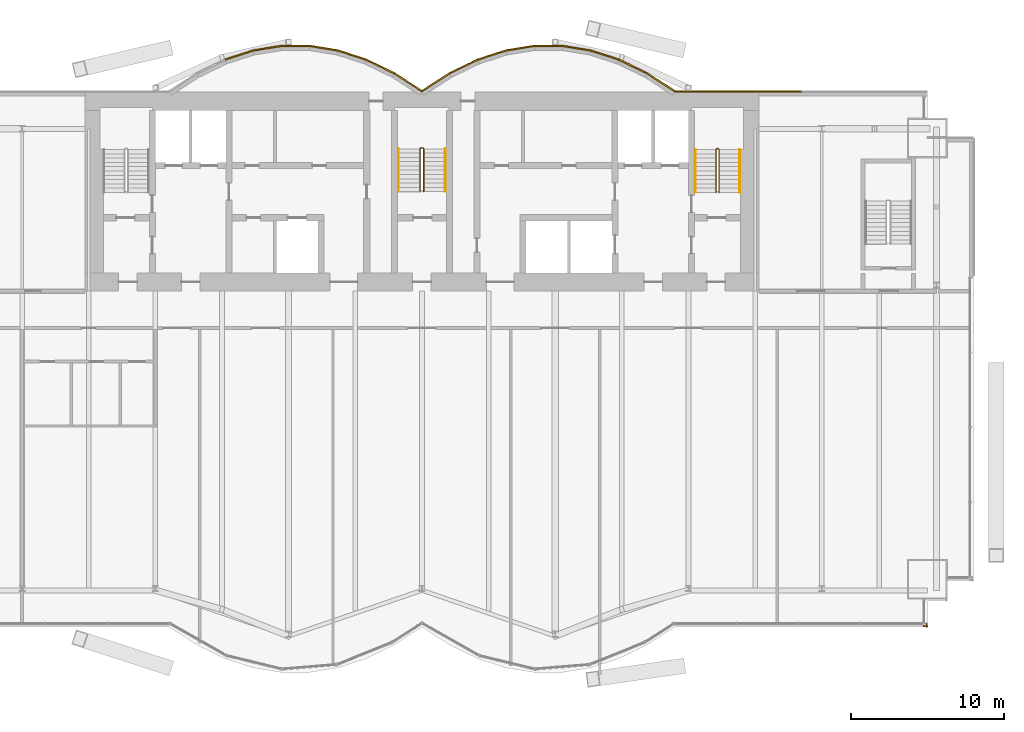
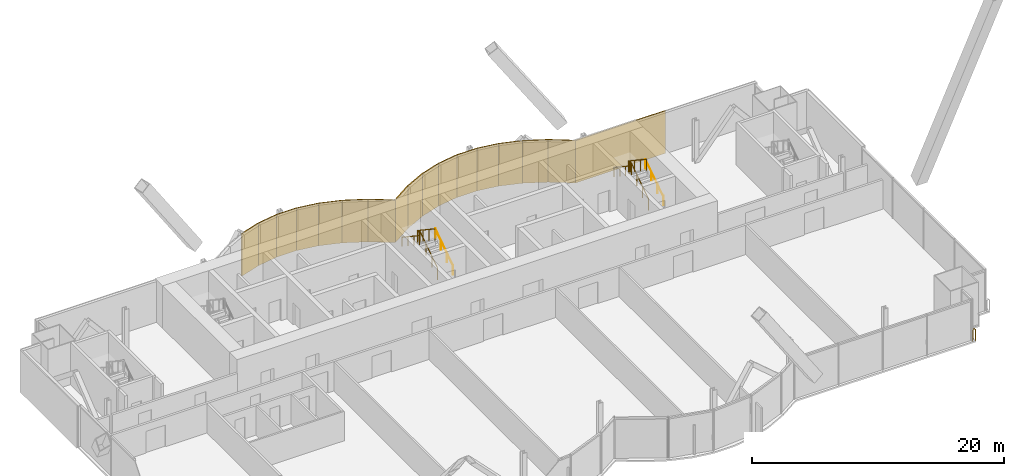
# One storey, part 23 of 24: 17 coverings, 7 railings.
"""IFC4 building model written with IfcOpenShell, lengths in metres."""

from ifc_helpers import new_model, si_unit, direction, frame, origin, origin_2d, place, context, subcontext, project, spatial, rectangle, circle, extrude, material, layer, layer_set, type_object, element, save


model = new_model("IFC4")

# Units and contexts
model_context = context("Model", 3, precision=1e-05, world=origin(), true_north=direction((0.0, 1.0)))
body_context = subcontext(model_context, "Body", "Model", "MODEL_VIEW")
ifc_project = project(units=[si_unit("LENGTHUNIT", "METRE"), si_unit("AREAUNIT", "SQUARE_METRE"), si_unit("VOLUMEUNIT", "CUBIC_METRE"), si_unit("PLANEANGLEUNIT", "RADIAN"), si_unit("MASSUNIT", "GRAM", prefix="KILO")], contexts=[model_context])

# Site, building, storey
site_placement = place(None, origin())
site = spatial("IfcSite", under=ifc_project, at=site_placement, CompositionType="ELEMENT")
building_placement = place(site_placement, origin())
building = spatial("IfcBuilding", under=site, at=building_placement, Name="Bicima Exchange Tower", CompositionType="ELEMENT")
storey_placement = place(building_placement, frame((0.0, 0.0, 160.89990234375)))
storey = spatial("IfcBuildingStorey", under=building, at=storey_placement, Name="L35", CompositionType="ELEMENT", Elevation=160.89990234375)

# Coverings
ifc_material_1 = material(Name="Bronze metal cladding")
ifc_layer_1 = layer(ifc_material_1, 0.004)
ifc_material_2 = material(Name="Ventilated cavity")
ifc_layer_2 = layer(ifc_material_2, 0.06)
ifc_material_3 = material(Name="Galvanised steel rail and mineral wool", Category="steel")
ifc_layer_3 = layer(ifc_material_3, 0.036)
ifc_layer_set = layer_set([ifc_layer_1, ifc_layer_2, ifc_layer_3], Name="Ventilated cavity")
covering_type = type_object("IfcCoveringType", Name="Bronze metal cladding panel 100", PredefinedType="CLADDING", material=ifc_layer_set)
covering_1_placement = place(storey_placement, frame((20.625, 0.050048828125, -0.14990234375), z_axis=(0.0, 0.0, 1.0), x_axis=(-1.0, 0.0, 0.0)))
element("IfcCovering", 1, at=covering_1_placement, inside=storey, type_object=covering_type, Name="Bronze cladding L35 1.2", PredefinedType="CLADDING", context=body_context, shape_type="SweptSolid", body=[
    extrude(rectangle(XDim=8.25, YDim=0.10009765625, at=origin_2d()), origin(), (0.0, 0.0, 1.0), 4.10009765625),
])
covering_2_placement = place(storey_placement, frame((15.610595703125, 0.634521484375, -0.14990234375), z_axis=(0.0, 0.0, 1.0), x_axis=(-0.839790466384, 0.542910648791, 0.0)))
element("IfcCovering", 2, at=covering_2_placement, inside=storey, type_object=covering_type, Name="Bronze cladding L35 2.1", PredefinedType="CLADDING", context=body_context, shape_type="SweptSolid", body=[
    extrude(rectangle(XDim=2.18310546875, YDim=0.10009765625, at=origin_2d()), origin(), (0.0, 0.0, 1.0), 4.10009765625),
])
covering_3_placement = place(storey_placement, frame((13.771728515625, 1.674560546875, -0.14990234375), z_axis=(0.0, 0.0, 1.0), x_axis=(-0.899818346812, 0.436264762204, 0.0)))
element("IfcCovering", 3, at=covering_3_placement, inside=storey, type_object=covering_type, Name="Bronze cladding L35 3.1", PredefinedType="CLADDING", context=body_context, shape_type="SweptSolid", body=[
    extrude(rectangle(XDim=2.03759765625, YDim=0.10009765625, at=origin_2d()), origin(), (0.0, 0.0, 1.0), 4.10009765625),
])
covering_4_placement = place(storey_placement, frame((11.931884765625, 2.41796875, -0.14990234375), z_axis=(0.0, 0.0, 1.0), x_axis=(-0.951524642381, 0.307572519808, 0.0)))
element("IfcCovering", 4, at=covering_4_placement, inside=storey, type_object=covering_type, Name="Bronze cladding L35 4.1", PredefinedType="CLADDING", context=body_context, shape_type="SweptSolid", body=[
    extrude(rectangle(XDim=1.9267578125, YDim=0.10009765625, at=origin_2d()), origin(), (0.0, 0.0, 1.0), 4.10009765625),
])
covering_5_placement = place(storey_placement, frame((10.09130859375, 2.8642578125, -0.14990234375), z_axis=(0.0, 0.0, 1.0), x_axis=(-0.987189786347, 0.159550386184, 0.0)))
element("IfcCovering", 5, at=covering_5_placement, inside=storey, type_object=covering_type, Name="Bronze cladding L35 5.1", PredefinedType="CLADDING", context=body_context, shape_type="SweptSolid", body=[
    extrude(rectangle(XDim=1.857177734375, YDim=0.10009765625, at=origin_2d()), origin(), (0.0, 0.0, 1.0), 4.10009765625),
])
covering_6_placement = place(storey_placement, frame((8.25, 3.012939453125, -0.14990234375), z_axis=(0.0, 0.0, 1.0), x_axis=(-1.0, 0.0, 0.0)))
element("IfcCovering", 6, at=covering_6_placement, inside=storey, type_object=covering_type, Name="Bronze cladding L35 6.1", PredefinedType="CLADDING", context=body_context, shape_type="SweptSolid", body=[
    extrude(rectangle(XDim=1.83349609375, YDim=0.10009765625, at=origin_2d()), origin(), (0.0, 0.0, 1.0), 4.10009765625),
])
covering_7_placement = place(storey_placement, frame((6.40869140625, 2.8642578125, -0.14990234375), z_axis=(0.0, 0.0, 1.0), x_axis=(-0.987189786347, -0.159550386184, 0.0)))
element("IfcCovering", 7, at=covering_7_placement, inside=storey, type_object=covering_type, Name="Bronze cladding L35 7.1", PredefinedType="CLADDING", context=body_context, shape_type="SweptSolid", body=[
    extrude(rectangle(XDim=1.857177734375, YDim=0.10009765625, at=origin_2d()), origin(), (0.0, 0.0, 1.0), 4.10009765625),
])
covering_8_placement = place(storey_placement, frame((4.568115234375, 2.41796875, -0.14990234375), z_axis=(0.0, 0.0, 1.0), x_axis=(-0.951524642381, -0.307572519808, 0.0)))
element("IfcCovering", 8, at=covering_8_placement, inside=storey, type_object=covering_type, Name="Bronze cladding L35 8.1", PredefinedType="CLADDING", context=body_context, shape_type="SweptSolid", body=[
    extrude(rectangle(XDim=1.9267578125, YDim=0.10009765625, at=origin_2d()), origin(), (0.0, 0.0, 1.0), 4.10009765625),
])
covering_9_placement = place(storey_placement, frame((2.728271484375, 1.674560546875, -0.14990234375), z_axis=(0.0, 0.0, 1.0), x_axis=(-0.899818346812, -0.436264762204, 0.0)))
element("IfcCovering", 9, at=covering_9_placement, inside=storey, type_object=covering_type, Name="Bronze cladding L35 9.1", PredefinedType="CLADDING", context=body_context, shape_type="SweptSolid", body=[
    extrude(rectangle(XDim=2.03759765625, YDim=0.10009765625, at=origin_2d()), origin(), (0.0, 0.0, 1.0), 4.10009765625),
])
for number, where, z_axis, x_axis, name in (
    (10, (0.889404296875, 0.634521484375, -0.14990234375), (0.0, 0.0, 1.0), (-0.839790466384, -0.542910648791, 0.0), "Bronze cladding L35 10.1"),
    (11, (-0.889404296875, 0.634521484375, -0.14990234375), (0.0, 0.0, 1.0), (-0.839790466384, 0.542910648791, 0.0), "Bronze cladding L35 11.1"),
):
    element("IfcCovering", number, at=place(storey_placement, frame(where, z_axis=z_axis, x_axis=x_axis)), inside=storey, type_object=covering_type, Name=name, PredefinedType="CLADDING", context=body_context, shape_type="SweptSolid", body=[
        extrude(rectangle(XDim=2.18310546875, YDim=0.10009765625, at=origin_2d()), origin(), (0.0, 0.0, 1.0), 4.10009765625),
    ])
covering_10_placement = place(storey_placement, frame((-2.728271484375, 1.674560546875, -0.14990234375), z_axis=(0.0, 0.0, 1.0), x_axis=(-0.899818346812, 0.436264762204, 0.0)))
element("IfcCovering", 12, at=covering_10_placement, inside=storey, type_object=covering_type, Name="Bronze cladding L35 12.1", PredefinedType="CLADDING", context=body_context, shape_type="SweptSolid", body=[
    extrude(rectangle(XDim=2.03759765625, YDim=0.10009765625, at=origin_2d()), origin(), (0.0, 0.0, 1.0), 4.10009765625),
])
covering_11_placement = place(storey_placement, frame((-4.568115234375, 2.41796875, -0.14990234375), z_axis=(0.0, 0.0, 1.0), x_axis=(-0.951524642381, 0.307572519808, 0.0)))
element("IfcCovering", 13, at=covering_11_placement, inside=storey, type_object=covering_type, Name="Bronze cladding L35 13.1", PredefinedType="CLADDING", context=body_context, shape_type="SweptSolid", body=[
    extrude(rectangle(XDim=1.9267578125, YDim=0.10009765625, at=origin_2d()), origin(), (0.0, 0.0, 1.0), 4.10009765625),
])
covering_12_placement = place(storey_placement, frame((-6.40869140625, 2.8642578125, -0.14990234375), z_axis=(0.0, 0.0, 1.0), x_axis=(-0.987189786347, 0.159550386184, 0.0)))
element("IfcCovering", 14, at=covering_12_placement, inside=storey, type_object=covering_type, Name="Bronze cladding L35 14.1", PredefinedType="CLADDING", context=body_context, shape_type="SweptSolid", body=[
    extrude(rectangle(XDim=1.857177734375, YDim=0.10009765625, at=origin_2d()), origin(), (0.0, 0.0, 1.0), 4.10009765625),
])
covering_13_placement = place(storey_placement, frame((-8.25, 3.012939453125, -0.14990234375), z_axis=(0.0, 0.0, 1.0), x_axis=(-1.0, 0.0, 0.0)))
element("IfcCovering", 15, at=covering_13_placement, inside=storey, type_object=covering_type, Name="Bronze cladding L35 15.1", PredefinedType="CLADDING", context=body_context, shape_type="SweptSolid", body=[
    extrude(rectangle(XDim=1.83349609375, YDim=0.10009765625, at=origin_2d()), origin(), (0.0, 0.0, 1.0), 4.10009765625),
])
covering_14_placement = place(storey_placement, frame((-10.09130859375, 2.8642578125, -0.14990234375), z_axis=(0.0, 0.0, 1.0), x_axis=(-0.987189786347, -0.159550386184, 0.0)))
element("IfcCovering", 16, at=covering_14_placement, inside=storey, type_object=covering_type, Name="Bronze cladding L35 16.1", PredefinedType="CLADDING", context=body_context, shape_type="SweptSolid", body=[
    extrude(rectangle(XDim=1.857177734375, YDim=0.10009765625, at=origin_2d()), origin(), (0.0, 0.0, 1.0), 4.10009765625),
])
covering_15_placement = place(storey_placement, frame((-11.931884765625, 2.41796875, -0.14990234375), z_axis=(0.0, 0.0, 1.0), x_axis=(-0.951524642381, -0.307572519808, 0.0)))
element("IfcCovering", 17, at=covering_15_placement, inside=storey, type_object=covering_type, Name="Bronze cladding L35 17.1", PredefinedType="CLADDING", context=body_context, shape_type="SweptSolid", body=[
    extrude(rectangle(XDim=1.9267578125, YDim=0.10009765625, at=origin_2d()), origin(), (0.0, 0.0, 1.0), 4.10009765625),
])

# Railings
ifc_material_4 = material(Name="Stainless steel and bonded safety glass", Category="steel")
railing_type_1 = type_object("IfcRailingType", Name="Edge guard 1100", PredefinedType="GUARDRAIL", material=ifc_material_4)
railing_1_placement = place(storey_placement, frame((32.949951171875, -34.680908203125, 0.0)))
element("IfcRailing", 18, at=railing_1_placement, inside=storey, type_object=railing_type_1, Name="Edge guard L35 176", PredefinedType="GUARDRAIL", context=body_context, shape_type="SweptSolid", body=[
    extrude(circle(Radius=0.02392578125, at=origin_2d()), frame((0.0, 0.0, 1.076171875), z_axis=(0.0, -1.0, 0.0), x_axis=(1.0, 0.0, 0.0)), (0.0, 0.0, 1.0), 0.2431640625),
    extrude(circle(Radius=0.02392578125, at=origin_2d()), frame((0.0, -0.2431640625, 1.076171875), z_axis=(0.707106781187, 0.707106781187, 0.0), x_axis=(-0.707106781187, 0.707106781187, 0.0)), (0.0, 0.0, 1.0), 0.07080078125),
    extrude(circle(Radius=0.02392578125, at=origin_2d()), frame((0.050048828125, -0.193115234375, 1.076171875), z_axis=(-1.0, 0.0, 0.0), x_axis=(0.0, -1.0, 0.0)), (0.0, 0.0, 1.0), 0.25),
    extrude(circle(Radius=0.02099609375, at=origin_2d()), origin(), (0.0, 0.0, 1.0), 1.052001953125),
    extrude(circle(Radius=0.02099609375, at=origin_2d()), frame((0.0, -0.2431640625, 0.0)), (0.0, 0.0, 1.0), 1.052001953125),
    extrude(circle(Radius=0.02099609375, at=origin_2d()), frame((0.050048828125, -0.193115234375, 0.0)), (0.0, 0.0, 1.0), 1.052001953125),
    extrude(circle(Radius=0.02099609375, at=origin_2d()), frame((-0.199951171875, -0.193115234375, 0.0)), (0.0, 0.0, 1.0), 1.052001953125),
])
ifc_material_5 = material(Name="Stainless steel", Category="steel")
railing_type_2 = type_object("IfcRailingType", Name="Stair guard 1100", PredefinedType="GUARDRAIL", material=ifc_material_5)
railing_2_placement = place(storey_placement, frame((0.125, -6.5, 0.1865234375)))
element("IfcRailing", 19, at=railing_2_placement, inside=storey, type_object=railing_type_2, Name="L35 ST-C stair guard 1", PredefinedType="GUARDRAIL", context=body_context, shape_type="SweptSolid", body=[
    extrude(circle(Radius=0.02392578125, at=origin_2d()), frame((0.0, 0.0, 1.076171875), z_axis=(0.0, 0.832485552168, 0.554046753832), x_axis=(-1.0, 0.0, 0.0)), (0.0, 0.0, 1.0), 3.363525390625),
    extrude(circle(Radius=0.02392578125, at=origin_2d()), frame((0.0, 2.800048828125, 2.939453125), z_axis=(-0.707106781187, 0.707106781187, 0.0), x_axis=(-0.707106781187, -0.707106781187, 0.0)), (0.0, 0.0, 1.0), 0.07080078125),
    extrude(circle(Radius=0.02392578125, at=origin_2d()), frame((-0.050048828125, 2.85009765625, 2.939453125), z_axis=(-1.0, 0.0, 0.0), x_axis=(0.0, -1.0, 0.0)), (0.0, 0.0, 1.0), 0.14990234375),
    extrude(circle(Radius=0.02392578125, at=origin_2d()), frame((-0.199951171875, 2.85009765625, 2.939453125), z_axis=(-0.250869701741, -0.250869701741, 0.934948546978), x_axis=(0.707106781187, -0.707106781187, 0.0)), (0.0, 0.0, 1.0), 0.199462890625),
    extrude(circle(Radius=0.02392578125, at=origin_2d()), frame((-0.25, 2.800048828125, 3.1259765625), z_axis=(0.0, -0.832485552168, 0.554046753832), x_axis=(1.0, 0.0, 0.0)), (0.0, 0.0, 1.0), 3.363525390625),
    extrude(circle(Radius=0.02099609375, at=origin_2d()), origin(), (0.0, 0.0, 1.0), 1.052001953125),
    extrude(circle(Radius=0.02099609375, at=origin_2d()), frame((0.0, 0.933349609375, 0.62109375)), (0.0, 0.0, 1.0), 1.052001953125),
    extrude(circle(Radius=0.02099609375, at=origin_2d()), frame((0.0, 1.86669921875, 1.242431640625)), (0.0, 0.0, 1.0), 1.052001953125),
    extrude(circle(Radius=0.02099609375, at=origin_2d()), frame((0.0, 2.800048828125, 1.863525390625)), (0.0, 0.0, 1.0), 1.052001953125),
    extrude(circle(Radius=0.02099609375, at=origin_2d()), frame((-0.050048828125, 2.85009765625, 1.863525390625)), (0.0, 0.0, 1.0), 1.052001953125),
    extrude(circle(Radius=0.02099609375, at=origin_2d()), frame((-0.199951171875, 2.85009765625, 1.863525390625)), (0.0, 0.0, 1.0), 1.052001953125),
    extrude(circle(Radius=0.02099609375, at=origin_2d()), frame((-0.25, 2.800048828125, 2.050048828125)), (0.0, 0.0, 1.0), 1.052001953125),
    extrude(circle(Radius=0.02099609375, at=origin_2d()), frame((-0.25, 1.86669921875, 2.671142578125)), (0.0, 0.0, 1.0), 1.052001953125),
    extrude(circle(Radius=0.02099609375, at=origin_2d()), frame((-0.25, 0.933349609375, 3.29248046875)), (0.0, 0.0, 1.0), 1.052001953125),
    extrude(circle(Radius=0.02099609375, at=origin_2d()), frame((-0.25, 0.0, 3.91357421875)), (0.0, 0.0, 1.0), 1.052001953125),
])
railing_3_placement = place(storey_placement, frame((19.39990234375, -6.550048828125, 0.1865234375)))
element("IfcRailing", 20, at=railing_3_placement, inside=storey, type_object=railing_type_2, Name="L35 ST-E stair guard 1", PredefinedType="GUARDRAIL", context=body_context, shape_type="SweptSolid", body=[
    extrude(circle(Radius=0.02392578125, at=origin_2d()), frame((0.0, 0.0, 1.076171875), z_axis=(0.0, 0.832485552168, 0.554046753832), x_axis=(-1.0, 0.0, 0.0)), (0.0, 0.0, 1.0), 3.363525390625),
    extrude(circle(Radius=0.02392578125, at=origin_2d()), frame((0.0, 2.800048828125, 2.939453125), z_axis=(-0.705375805398, 0.708833529934, 0.0), x_axis=(-0.708833529934, -0.705375805398, 0.0)), (0.0, 0.0, 1.0), 0.070556640625),
    extrude(circle(Radius=0.02392578125, at=origin_2d()), frame((-0.0498046875, 2.85009765625, 2.939453125), z_axis=(-1.0, 0.0, 0.0), x_axis=(0.0, -1.0, 0.0)), (0.0, 0.0, 1.0), 0.10009765625),
    extrude(circle(Radius=0.02392578125, at=origin_2d()), frame((-0.14990234375, 2.85009765625, 2.939453125), z_axis=(-0.250869701741, -0.250869701741, 0.934948546978), x_axis=(0.707106781187, -0.707106781187, 0.0)), (0.0, 0.0, 1.0), 0.199462890625),
    extrude(circle(Radius=0.02392578125, at=origin_2d()), frame((-0.199951171875, 2.800048828125, 3.1259765625), z_axis=(0.0, -0.832485552168, 0.554046753832), x_axis=(1.0, 0.0, 0.0)), (0.0, 0.0, 1.0), 3.363525390625),
    extrude(circle(Radius=0.02099609375, at=origin_2d()), origin(), (0.0, 0.0, 1.0), 1.052001953125),
    extrude(circle(Radius=0.02099609375, at=origin_2d()), frame((0.0, 0.933349609375, 0.62109375)), (0.0, 0.0, 1.0), 1.052001953125),
    extrude(circle(Radius=0.02099609375, at=origin_2d()), frame((0.0, 1.86669921875, 1.242431640625)), (0.0, 0.0, 1.0), 1.052001953125),
    extrude(circle(Radius=0.02099609375, at=origin_2d()), frame((0.0, 2.800048828125, 1.863525390625)), (0.0, 0.0, 1.0), 1.052001953125),
    extrude(circle(Radius=0.02099609375, at=origin_2d()), frame((-0.0498046875, 2.85009765625, 1.863525390625)), (0.0, 0.0, 1.0), 1.052001953125),
    extrude(circle(Radius=0.02099609375, at=origin_2d()), frame((-0.14990234375, 2.85009765625, 1.863525390625)), (0.0, 0.0, 1.0), 1.052001953125),
    extrude(circle(Radius=0.02099609375, at=origin_2d()), frame((-0.199951171875, 2.800048828125, 2.050048828125)), (0.0, 0.0, 1.0), 1.052001953125),
    extrude(circle(Radius=0.02099609375, at=origin_2d()), frame((-0.199951171875, 1.86669921875, 2.671142578125)), (0.0, 0.0, 1.0), 1.052001953125),
    extrude(circle(Radius=0.02099609375, at=origin_2d()), frame((-0.199951171875, 0.933349609375, 3.29248046875)), (0.0, 0.0, 1.0), 1.052001953125),
    extrude(circle(Radius=0.02099609375, at=origin_2d()), frame((-0.199951171875, 0.0, 3.91357421875)), (0.0, 0.0, 1.0), 1.052001953125),
])
railing_type_3 = type_object("IfcRailingType", Name="Stair handrail 900", PredefinedType="HANDRAIL", material=ifc_material_5)
railing_4_placement = place(storey_placement, frame((1.52490234375, -6.5, 0.1865234375)))
element("IfcRailing", 21, at=railing_4_placement, inside=storey, type_object=railing_type_3, Name="L35 ST-C stair handrail 1", PredefinedType="HANDRAIL", context=body_context, shape_type="SweptSolid", body=[
    extrude(circle(Radius=0.02392578125, at=origin_2d()), frame((0.0, 0.0, 0.8759765625), z_axis=(0.0, 0.832485552168, 0.554046753832), x_axis=(-1.0, 0.0, 0.0)), (0.0, 0.0, 1.0), 3.363525390625),
    extrude(circle(Radius=0.02099609375, at=origin_2d()), origin(), (0.0, 0.0, 1.0), 0.851806640625),
    extrude(circle(Radius=0.02099609375, at=origin_2d()), frame((0.0, 0.933349609375, 0.62109375)), (0.0, 0.0, 1.0), 0.851806640625),
    extrude(circle(Radius=0.02099609375, at=origin_2d()), frame((0.0, 1.86669921875, 1.242431640625)), (0.0, 0.0, 1.0), 0.851806640625),
    extrude(circle(Radius=0.02099609375, at=origin_2d()), frame((0.0, 2.800048828125, 1.863525390625)), (0.0, 0.0, 1.0), 0.851806640625),
])
railing_5_placement = place(storey_placement, frame((-1.52490234375, -3.699951171875, 2.27685546875)))
element("IfcRailing", 22, at=railing_5_placement, inside=storey, type_object=railing_type_3, Name="L35 ST-C stair handrail 2", PredefinedType="HANDRAIL", context=body_context, shape_type="SweptSolid", body=[
    extrude(circle(Radius=0.02392578125, at=origin_2d()), frame((0.0, 0.0, 0.8759765625), z_axis=(0.0, -0.832485552168, 0.554046753832), x_axis=(1.0, 0.0, 0.0)), (0.0, 0.0, 1.0), 3.363525390625),
    extrude(circle(Radius=0.02099609375, at=origin_2d()), origin(), (0.0, 0.0, 1.0), 0.851806640625),
    extrude(circle(Radius=0.02099609375, at=origin_2d()), frame((0.0, -0.933349609375, 0.62109375)), (0.0, 0.0, 1.0), 0.851806640625),
    extrude(circle(Radius=0.02099609375, at=origin_2d()), frame((0.0, -1.86669921875, 1.242431640625)), (0.0, 0.0, 1.0), 0.851806640625),
    extrude(circle(Radius=0.02099609375, at=origin_2d()), frame((0.0, -2.800048828125, 1.863525390625)), (0.0, 0.0, 1.0), 0.851806640625),
])
railing_6_placement = place(storey_placement, frame((20.75, -6.550048828125, 0.1865234375)))
element("IfcRailing", 23, at=railing_6_placement, inside=storey, type_object=railing_type_3, Name="L35 ST-E stair handrail 1", PredefinedType="HANDRAIL", context=body_context, shape_type="SweptSolid", body=[
    extrude(circle(Radius=0.02392578125, at=origin_2d()), frame((0.0, 0.0, 0.8759765625), z_axis=(0.0, 0.832485552168, 0.554046753832), x_axis=(-1.0, 0.0, 0.0)), (0.0, 0.0, 1.0), 3.363525390625),
    extrude(circle(Radius=0.02099609375, at=origin_2d()), origin(), (0.0, 0.0, 1.0), 0.851806640625),
    extrude(circle(Radius=0.02099609375, at=origin_2d()), frame((0.0, 0.933349609375, 0.62109375)), (0.0, 0.0, 1.0), 0.851806640625),
    extrude(circle(Radius=0.02099609375, at=origin_2d()), frame((0.0, 1.86669921875, 1.242431640625)), (0.0, 0.0, 1.0), 0.851806640625),
    extrude(circle(Radius=0.02099609375, at=origin_2d()), frame((0.0, 2.800048828125, 1.863525390625)), (0.0, 0.0, 1.0), 0.851806640625),
])
railing_7_placement = place(storey_placement, frame((17.85009765625, -3.75, 2.27685546875)))
element("IfcRailing", 24, at=railing_7_placement, inside=storey, type_object=railing_type_3, Name="L35 ST-E stair handrail 2", PredefinedType="HANDRAIL", context=body_context, shape_type="SweptSolid", body=[
    extrude(circle(Radius=0.02392578125, at=origin_2d()), frame((0.0, 0.0, 0.8759765625), z_axis=(0.0, -0.832485552168, 0.554046753832), x_axis=(1.0, 0.0, 0.0)), (0.0, 0.0, 1.0), 3.363525390625),
    extrude(circle(Radius=0.02099609375, at=origin_2d()), origin(), (0.0, 0.0, 1.0), 0.851806640625),
    extrude(circle(Radius=0.02099609375, at=origin_2d()), frame((0.0, -0.933349609375, 0.62109375)), (0.0, 0.0, 1.0), 0.851806640625),
    extrude(circle(Radius=0.02099609375, at=origin_2d()), frame((0.0, -1.86669921875, 1.242431640625)), (0.0, 0.0, 1.0), 0.851806640625),
    extrude(circle(Radius=0.02099609375, at=origin_2d()), frame((0.0, -2.800048828125, 1.863525390625)), (0.0, 0.0, 1.0), 0.851806640625),
])

save(model, "model.ifc")
